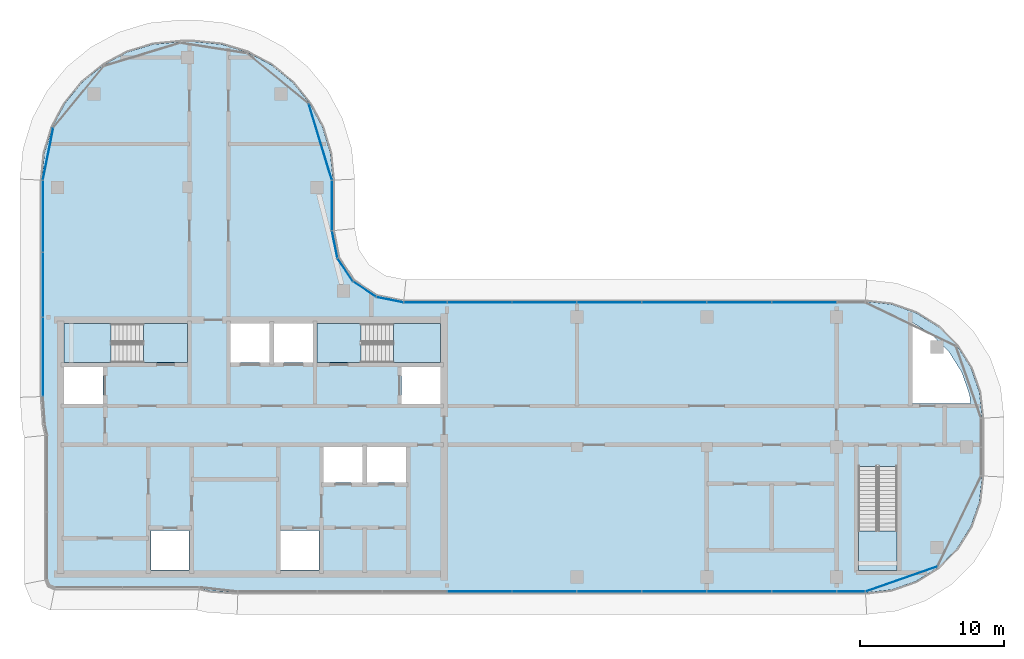
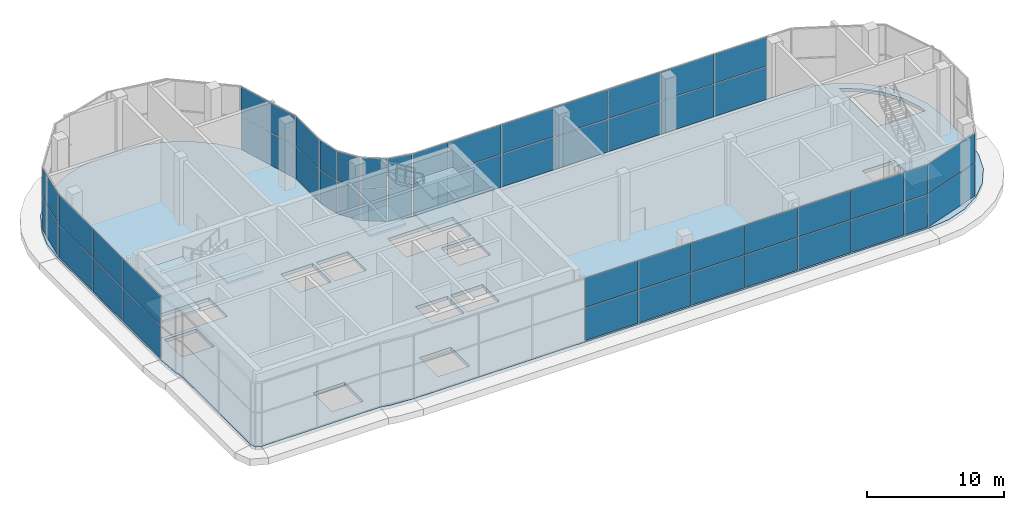
# One storey, part 13 of 23: 50 plates, 8 slabs, 10 elements without a shape of their own.
"""IFC4 building model written with IfcOpenShell, lengths in metres."""

from ifc_helpers import new_model, si_unit, direction, frame, origin, origin_2d, place, context, subcontext, project, spatial, polyline, rectangle, outline, extrude, material, layer, layer_set, type_object, element, aggregate, save


model = new_model("IFC4")

# Units and contexts
model_context = context("Model", 3, precision=1e-05, world=origin(), true_north=direction((0.0, 1.0)))
body_context = subcontext(model_context, "Body", "Model", "MODEL_VIEW")
ifc_project = project(units=[si_unit("LENGTHUNIT", "METRE"), si_unit("AREAUNIT", "SQUARE_METRE"), si_unit("VOLUMEUNIT", "CUBIC_METRE"), si_unit("PLANEANGLEUNIT", "RADIAN"), si_unit("MASSUNIT", "GRAM", prefix="KILO")], contexts=[model_context])

# Site, building, storey
site_placement = place(None, origin())
site = spatial("IfcSite", under=ifc_project, at=site_placement, CompositionType="ELEMENT")
building_placement = place(site_placement, origin())
building = spatial("IfcBuilding", under=site, at=building_placement, Name="Ogive Portal Towers", CompositionType="ELEMENT")
storey_placement = place(building_placement, frame((0.0, 0.0, 260.89990234375)))
storey = spatial("IfcBuildingStorey", under=building, at=storey_placement, Name="L64", CompositionType="ELEMENT", Elevation=260.89990234375)

# Curtain wall, plates
ifc_material_1 = material(Name="Glass, clear low-iron insulated glazing", Category="glass")
curtain_wall_type = type_object("IfcCurtainWallType", Name="CW OBSERVATION WALL", PredefinedType="NOTDEFINED", material=ifc_material_1)
curtain_wall_1_placement = place(storey_placement, origin())
curtain_wall_1 = element("IfcCurtainWall", 1, at=curtain_wall_1_placement, inside=storey, type_object=curtain_wall_type, Name="A:L64:f05:cw0", PredefinedType="NOTDEFINED")
ifc_layer_1 = layer(ifc_material_1, 0.028076171875)
ifc_layer_set_1 = layer_set([ifc_layer_1], Name="CW PANEL IGU 28")
plate_type = type_object("IfcPlateType", Name="CW PANEL IGU 28", PredefinedType="CURTAIN_PANEL", material=ifc_layer_set_1)
plate_1_placement = place(storey_placement, frame((60.75, 20.47998046875, 0.06005859375), z_axis=(0.0, 0.0, 1.0), x_axis=(1.0, 0.0, 0.0)))
plate_1 = element("IfcPlate", 2, at=plate_1_placement, type_object=plate_type, Name="panel", PredefinedType="CURTAIN_PANEL", context=body_context, shape_type="SweptSolid", body=[
    extrude(rectangle(XDim=4.43994140625, YDim=0.028076171875, at=origin_2d()), origin(), (0.0, 0.0, 1.0), 2.909912109375),
])
plate_2_placement = place(storey_placement, frame((60.75, 20.47998046875, 3.0302734375), z_axis=(0.0, 0.0, 1.0), x_axis=(1.0, 0.0, 0.0)))
plate_2 = element("IfcPlate", 3, at=plate_2_placement, type_object=plate_type, Name="panel", PredefinedType="CURTAIN_PANEL", context=body_context, shape_type="SweptSolid", body=[
    extrude(rectangle(XDim=4.43994140625, YDim=0.028076171875, at=origin_2d()), origin(), (0.0, 0.0, 1.0), 2.610107421875),
])
plate_3_placement = place(storey_placement, frame((65.25, 20.47998046875, 0.06005859375), z_axis=(0.0, 0.0, 1.0), x_axis=(1.0, 0.0, 0.0)))
plate_3 = element("IfcPlate", 4, at=plate_3_placement, type_object=plate_type, Name="panel", PredefinedType="CURTAIN_PANEL", context=body_context, shape_type="SweptSolid", body=[
    extrude(rectangle(XDim=4.43994140625, YDim=0.028076171875, at=origin_2d()), origin(), (0.0, 0.0, 1.0), 2.909912109375),
])
plate_4_placement = place(storey_placement, frame((65.25, 20.47998046875, 3.0302734375), z_axis=(0.0, 0.0, 1.0), x_axis=(1.0, 0.0, 0.0)))
plate_4 = element("IfcPlate", 5, at=plate_4_placement, type_object=plate_type, Name="panel", PredefinedType="CURTAIN_PANEL", context=body_context, shape_type="SweptSolid", body=[
    extrude(rectangle(XDim=4.43994140625, YDim=0.028076171875, at=origin_2d()), origin(), (0.0, 0.0, 1.0), 2.610107421875),
])
plate_5_placement = place(storey_placement, frame((69.75, 20.47998046875, 0.06005859375), z_axis=(0.0, 0.0, 1.0), x_axis=(1.0, 0.0, 0.0)))
plate_5 = element("IfcPlate", 6, at=plate_5_placement, type_object=plate_type, Name="panel", PredefinedType="CURTAIN_PANEL", context=body_context, shape_type="SweptSolid", body=[
    extrude(rectangle(XDim=4.43994140625, YDim=0.028076171875, at=origin_2d()), origin(), (0.0, 0.0, 1.0), 2.909912109375),
])
plate_6_placement = place(storey_placement, frame((69.75, 20.47998046875, 3.0302734375), z_axis=(0.0, 0.0, 1.0), x_axis=(1.0, 0.0, 0.0)))
plate_6 = element("IfcPlate", 7, at=plate_6_placement, type_object=plate_type, Name="panel", PredefinedType="CURTAIN_PANEL", context=body_context, shape_type="SweptSolid", body=[
    extrude(rectangle(XDim=4.43994140625, YDim=0.028076171875, at=origin_2d()), origin(), (0.0, 0.0, 1.0), 2.610107421875),
])
plate_7_placement = place(storey_placement, frame((74.25, 20.47998046875, 0.06005859375), z_axis=(0.0, 0.0, 1.0), x_axis=(1.0, 0.0, 0.0)))
plate_7 = element("IfcPlate", 8, at=plate_7_placement, type_object=plate_type, Name="panel", PredefinedType="CURTAIN_PANEL", context=body_context, shape_type="SweptSolid", body=[
    extrude(rectangle(XDim=4.43994140625, YDim=0.028076171875, at=origin_2d()), origin(), (0.0, 0.0, 1.0), 2.909912109375),
])
plate_8_placement = place(storey_placement, frame((74.25, 20.47998046875, 3.0302734375), z_axis=(0.0, 0.0, 1.0), x_axis=(1.0, 0.0, 0.0)))
plate_8 = element("IfcPlate", 9, at=plate_8_placement, type_object=plate_type, Name="panel", PredefinedType="CURTAIN_PANEL", context=body_context, shape_type="SweptSolid", body=[
    extrude(rectangle(XDim=4.43994140625, YDim=0.028076171875, at=origin_2d()), origin(), (0.0, 0.0, 1.0), 2.610107421875),
])
plate_9_placement = place(storey_placement, frame((78.75, 20.47998046875, 0.06005859375), z_axis=(0.0, 0.0, 1.0), x_axis=(1.0, 0.0, 0.0)))
plate_9 = element("IfcPlate", 10, at=plate_9_placement, type_object=plate_type, Name="panel", PredefinedType="CURTAIN_PANEL", context=body_context, shape_type="SweptSolid", body=[
    extrude(rectangle(XDim=4.43994140625, YDim=0.028076171875, at=origin_2d()), origin(), (0.0, 0.0, 1.0), 2.909912109375),
])
plate_10_placement = place(storey_placement, frame((78.75, 20.47998046875, 3.0302734375), z_axis=(0.0, 0.0, 1.0), x_axis=(1.0, 0.0, 0.0)))
plate_10 = element("IfcPlate", 11, at=plate_10_placement, type_object=plate_type, Name="panel", PredefinedType="CURTAIN_PANEL", context=body_context, shape_type="SweptSolid", body=[
    extrude(rectangle(XDim=4.43994140625, YDim=0.028076171875, at=origin_2d()), origin(), (0.0, 0.0, 1.0), 2.610107421875),
])
plate_11_placement = place(storey_placement, frame((83.25, 20.47998046875, 0.06005859375), z_axis=(0.0, 0.0, 1.0), x_axis=(1.0, 0.0, 0.0)))
plate_11 = element("IfcPlate", 12, at=plate_11_placement, type_object=plate_type, Name="panel", PredefinedType="CURTAIN_PANEL", context=body_context, shape_type="SweptSolid", body=[
    extrude(rectangle(XDim=4.43994140625, YDim=0.028076171875, at=origin_2d()), origin(), (0.0, 0.0, 1.0), 2.909912109375),
])
plate_12_placement = place(storey_placement, frame((83.25, 20.47998046875, 3.0302734375), z_axis=(0.0, 0.0, 1.0), x_axis=(1.0, 0.0, 0.0)))
plate_12 = element("IfcPlate", 13, at=plate_12_placement, type_object=plate_type, Name="panel", PredefinedType="CURTAIN_PANEL", context=body_context, shape_type="SweptSolid", body=[
    extrude(rectangle(XDim=4.43994140625, YDim=0.028076171875, at=origin_2d()), origin(), (0.0, 0.0, 1.0), 2.610107421875),
])
plate_13_placement = place(storey_placement, frame((86.4931640625, 20.47998046875, 0.06005859375), z_axis=(0.0, 0.0, 1.0), x_axis=(1.0, 0.0, 0.0)))
plate_13 = element("IfcPlate", 14, at=plate_13_placement, type_object=plate_type, Name="panel", PredefinedType="CURTAIN_PANEL", context=body_context, shape_type="SweptSolid", body=[
    extrude(rectangle(XDim=1.926513671875, YDim=0.028076171875, at=origin_2d()), origin(), (0.0, 0.0, 1.0), 2.909912109375),
])
plate_14_placement = place(storey_placement, frame((86.4931640625, 20.47998046875, 3.0302734375), z_axis=(0.0, 0.0, 1.0), x_axis=(1.0, 0.0, 0.0)))
plate_14 = element("IfcPlate", 15, at=plate_14_placement, type_object=plate_type, Name="panel", PredefinedType="CURTAIN_PANEL", context=body_context, shape_type="SweptSolid", body=[
    extrude(rectangle(XDim=1.926513671875, YDim=0.028076171875, at=origin_2d()), origin(), (0.0, 0.0, 1.0), 2.610107421875),
])
aggregate(curtain_wall_1, [plate_1, plate_2, plate_3, plate_4, plate_5, plate_6, plate_7, plate_8, plate_9, plate_10, plate_11, plate_12, plate_13, plate_14])

curtain_wall_2_placement = place(storey_placement, origin())
curtain_wall_2 = element("IfcCurtainWall", 16, at=curtain_wall_2_placement, inside=storey, type_object=curtain_wall_type, Name="A:L64:f11:cw0", PredefinedType="NOTDEFINED")
plate_15_placement = place(storey_placement, frame((83.25, 40.52001953125, 0.06005859375), z_axis=(0.0, 0.0, 1.0), x_axis=(-1.0, 0.0, 0.0)))
plate_15 = element("IfcPlate", 17, at=plate_15_placement, type_object=plate_type, Name="panel", PredefinedType="CURTAIN_PANEL", context=body_context, shape_type="SweptSolid", body=[
    extrude(rectangle(XDim=4.43994140625, YDim=0.028076171875, at=origin_2d()), origin(), (0.0, 0.0, 1.0), 2.909912109375),
])
plate_16_placement = place(storey_placement, frame((83.25, 40.52001953125, 3.0302734375), z_axis=(0.0, 0.0, 1.0), x_axis=(-1.0, 0.0, 0.0)))
plate_16 = element("IfcPlate", 18, at=plate_16_placement, type_object=plate_type, Name="panel", PredefinedType="CURTAIN_PANEL", context=body_context, shape_type="SweptSolid", body=[
    extrude(rectangle(XDim=4.43994140625, YDim=0.028076171875, at=origin_2d()), origin(), (0.0, 0.0, 1.0), 2.610107421875),
])
plate_17_placement = place(storey_placement, frame((78.75, 40.52001953125, 0.06005859375), z_axis=(0.0, 0.0, 1.0), x_axis=(-1.0, 0.0, 0.0)))
plate_17 = element("IfcPlate", 19, at=plate_17_placement, type_object=plate_type, Name="panel", PredefinedType="CURTAIN_PANEL", context=body_context, shape_type="SweptSolid", body=[
    extrude(rectangle(XDim=4.43994140625, YDim=0.028076171875, at=origin_2d()), origin(), (0.0, 0.0, 1.0), 2.909912109375),
])
plate_18_placement = place(storey_placement, frame((78.75, 40.52001953125, 3.0302734375), z_axis=(0.0, 0.0, 1.0), x_axis=(-1.0, 0.0, 0.0)))
plate_18 = element("IfcPlate", 20, at=plate_18_placement, type_object=plate_type, Name="panel", PredefinedType="CURTAIN_PANEL", context=body_context, shape_type="SweptSolid", body=[
    extrude(rectangle(XDim=4.43994140625, YDim=0.028076171875, at=origin_2d()), origin(), (0.0, 0.0, 1.0), 2.610107421875),
])
plate_19_placement = place(storey_placement, frame((74.25, 40.52001953125, 0.06005859375), z_axis=(0.0, 0.0, 1.0), x_axis=(-1.0, 0.0, 0.0)))
plate_19 = element("IfcPlate", 21, at=plate_19_placement, type_object=plate_type, Name="panel", PredefinedType="CURTAIN_PANEL", context=body_context, shape_type="SweptSolid", body=[
    extrude(rectangle(XDim=4.43994140625, YDim=0.028076171875, at=origin_2d()), origin(), (0.0, 0.0, 1.0), 2.909912109375),
])
plate_20_placement = place(storey_placement, frame((74.25, 40.52001953125, 3.0302734375), z_axis=(0.0, 0.0, 1.0), x_axis=(-1.0, 0.0, 0.0)))
plate_20 = element("IfcPlate", 22, at=plate_20_placement, type_object=plate_type, Name="panel", PredefinedType="CURTAIN_PANEL", context=body_context, shape_type="SweptSolid", body=[
    extrude(rectangle(XDim=4.43994140625, YDim=0.028076171875, at=origin_2d()), origin(), (0.0, 0.0, 1.0), 2.610107421875),
])
plate_21_placement = place(storey_placement, frame((69.75, 40.52001953125, 0.06005859375), z_axis=(0.0, 0.0, 1.0), x_axis=(-1.0, 0.0, 0.0)))
plate_21 = element("IfcPlate", 23, at=plate_21_placement, type_object=plate_type, Name="panel", PredefinedType="CURTAIN_PANEL", context=body_context, shape_type="SweptSolid", body=[
    extrude(rectangle(XDim=4.43994140625, YDim=0.028076171875, at=origin_2d()), origin(), (0.0, 0.0, 1.0), 2.909912109375),
])
plate_22_placement = place(storey_placement, frame((69.75, 40.52001953125, 3.0302734375), z_axis=(0.0, 0.0, 1.0), x_axis=(-1.0, 0.0, 0.0)))
plate_22 = element("IfcPlate", 24, at=plate_22_placement, type_object=plate_type, Name="panel", PredefinedType="CURTAIN_PANEL", context=body_context, shape_type="SweptSolid", body=[
    extrude(rectangle(XDim=4.43994140625, YDim=0.028076171875, at=origin_2d()), origin(), (0.0, 0.0, 1.0), 2.610107421875),
])
plate_23_placement = place(storey_placement, frame((65.25, 40.52001953125, 0.06005859375), z_axis=(0.0, 0.0, 1.0), x_axis=(-1.0, 0.0, 0.0)))
plate_23 = element("IfcPlate", 25, at=plate_23_placement, type_object=plate_type, Name="panel", PredefinedType="CURTAIN_PANEL", context=body_context, shape_type="SweptSolid", body=[
    extrude(rectangle(XDim=4.43994140625, YDim=0.028076171875, at=origin_2d()), origin(), (0.0, 0.0, 1.0), 2.909912109375),
])
plate_24_placement = place(storey_placement, frame((65.25, 40.52001953125, 3.0302734375), z_axis=(0.0, 0.0, 1.0), x_axis=(-1.0, 0.0, 0.0)))
plate_24 = element("IfcPlate", 26, at=plate_24_placement, type_object=plate_type, Name="panel", PredefinedType="CURTAIN_PANEL", context=body_context, shape_type="SweptSolid", body=[
    extrude(rectangle(XDim=4.43994140625, YDim=0.028076171875, at=origin_2d()), origin(), (0.0, 0.0, 1.0), 2.610107421875),
])
plate_25_placement = place(storey_placement, frame((60.75, 40.52001953125, 0.06005859375), z_axis=(0.0, 0.0, 1.0), x_axis=(-1.0, 0.0, 0.0)))
plate_25 = element("IfcPlate", 27, at=plate_25_placement, type_object=plate_type, Name="panel", PredefinedType="CURTAIN_PANEL", context=body_context, shape_type="SweptSolid", body=[
    extrude(rectangle(XDim=4.43994140625, YDim=0.028076171875, at=origin_2d()), origin(), (0.0, 0.0, 1.0), 2.909912109375),
])
plate_26_placement = place(storey_placement, frame((60.75, 40.52001953125, 3.0302734375), z_axis=(0.0, 0.0, 1.0), x_axis=(-1.0, 0.0, 0.0)))
plate_26 = element("IfcPlate", 28, at=plate_26_placement, type_object=plate_type, Name="panel", PredefinedType="CURTAIN_PANEL", context=body_context, shape_type="SweptSolid", body=[
    extrude(rectangle(XDim=4.43994140625, YDim=0.028076171875, at=origin_2d()), origin(), (0.0, 0.0, 1.0), 2.610107421875),
])
plate_27_placement = place(storey_placement, frame((56.99609375, 40.52001953125, 0.06005859375), z_axis=(0.0, 0.0, 1.0), x_axis=(-1.0, 0.0, 0.0)))
plate_27 = element("IfcPlate", 29, at=plate_27_placement, type_object=plate_type, Name="panel", PredefinedType="CURTAIN_PANEL", context=body_context, shape_type="SweptSolid", body=[
    extrude(rectangle(XDim=2.947998046875, YDim=0.028076171875, at=origin_2d()), origin(), (0.0, 0.0, 1.0), 2.909912109375),
])
plate_28_placement = place(storey_placement, frame((56.99609375, 40.52001953125, 3.0302734375), z_axis=(0.0, 0.0, 1.0), x_axis=(-1.0, 0.0, 0.0)))
plate_28 = element("IfcPlate", 30, at=plate_28_placement, type_object=plate_type, Name="panel", PredefinedType="CURTAIN_PANEL", context=body_context, shape_type="SweptSolid", body=[
    extrude(rectangle(XDim=2.947998046875, YDim=0.028076171875, at=origin_2d()), origin(), (0.0, 0.0, 1.0), 2.610107421875),
])
aggregate(curtain_wall_2, [plate_15, plate_16, plate_17, plate_18, plate_19, plate_20, plate_21, plate_22, plate_23, plate_24, plate_25, plate_26, plate_27, plate_28])

curtain_wall_3_placement = place(storey_placement, origin())
curtain_wall_3 = element("IfcCurtainWall", 31, at=curtain_wall_3_placement, inside=storey, type_object=curtain_wall_type, Name="A:L64:f16:cw0", PredefinedType="NOTDEFINED")
plate_29_placement = place(storey_placement, frame((50.52001953125, 47.240234375, 0.06005859375), z_axis=(0.0, 0.0, 1.0), x_axis=(0.0, 1.0, 0.0)))
plate_29 = element("IfcPlate", 32, at=plate_29_placement, type_object=plate_type, Name="panel", PredefinedType="CURTAIN_PANEL", context=body_context, shape_type="SweptSolid", body=[
    extrude(rectangle(XDim=3.43603515625, YDim=0.028076171875, at=origin_2d()), origin(), (0.0, 0.0, 1.0), 2.909912109375),
])
plate_30_placement = place(storey_placement, frame((50.52001953125, 47.240234375, 3.0302734375), z_axis=(0.0, 0.0, 1.0), x_axis=(0.0, 1.0, 0.0)))
plate_30 = element("IfcPlate", 33, at=plate_30_placement, type_object=plate_type, Name="panel", PredefinedType="CURTAIN_PANEL", context=body_context, shape_type="SweptSolid", body=[
    extrude(rectangle(XDim=3.43603515625, YDim=0.028076171875, at=origin_2d()), origin(), (0.0, 0.0, 1.0), 2.610107421875),
])
aggregate(curtain_wall_3, [plate_29, plate_30])

curtain_wall_4_placement = place(storey_placement, origin())
curtain_wall_4 = element("IfcCurtainWall", 34, at=curtain_wall_4_placement, inside=storey, type_object=curtain_wall_type, Name="A:L64:f23:cw0", PredefinedType="NOTDEFINED")
plate_31_placement = place(storey_placement, frame((30.47998046875, 46.49609375, 0.06005859375), z_axis=(0.0, 0.0, 1.0), x_axis=(0.0, -1.0, 0.0)))
plate_31 = element("IfcPlate", 35, at=plate_31_placement, type_object=plate_type, Name="panel", PredefinedType="CURTAIN_PANEL", context=body_context, shape_type="SweptSolid", body=[
    extrude(rectangle(XDim=4.93212890625, YDim=0.028076171875, at=origin_2d()), origin(), (0.0, 0.0, 1.0), 2.909912109375),
])
plate_32_placement = place(storey_placement, frame((30.47998046875, 46.49609375, 3.0302734375), z_axis=(0.0, 0.0, 1.0), x_axis=(0.0, -1.0, 0.0)))
plate_32 = element("IfcPlate", 36, at=plate_32_placement, type_object=plate_type, Name="panel", PredefinedType="CURTAIN_PANEL", context=body_context, shape_type="SweptSolid", body=[
    extrude(rectangle(XDim=4.93212890625, YDim=0.028076171875, at=origin_2d()), origin(), (0.0, 0.0, 1.0), 2.610107421875),
])
plate_33_placement = place(storey_placement, frame((30.47998046875, 41.75, 0.06005859375), z_axis=(0.0, 0.0, 1.0), x_axis=(0.0, -1.0, 0.0)))
plate_33 = element("IfcPlate", 37, at=plate_33_placement, type_object=plate_type, Name="panel", PredefinedType="CURTAIN_PANEL", context=body_context, shape_type="SweptSolid", body=[
    extrude(rectangle(XDim=4.43994140625, YDim=0.028076171875, at=origin_2d()), origin(), (0.0, 0.0, 1.0), 2.909912109375),
])
plate_34_placement = place(storey_placement, frame((30.47998046875, 41.75, 3.0302734375), z_axis=(0.0, 0.0, 1.0), x_axis=(0.0, -1.0, 0.0)))
plate_34 = element("IfcPlate", 38, at=plate_34_placement, type_object=plate_type, Name="panel", PredefinedType="CURTAIN_PANEL", context=body_context, shape_type="SweptSolid", body=[
    extrude(rectangle(XDim=4.43994140625, YDim=0.028076171875, at=origin_2d()), origin(), (0.0, 0.0, 1.0), 2.610107421875),
])
plate_35_placement = place(storey_placement, frame((30.47998046875, 36.75146484375, 0.06005859375), z_axis=(0.0, 0.0, 1.0), x_axis=(0.0, -1.0, 0.0)))
plate_35 = element("IfcPlate", 39, at=plate_35_placement, type_object=plate_type, Name="panel", PredefinedType="CURTAIN_PANEL", context=body_context, shape_type="SweptSolid", body=[
    extrude(rectangle(XDim=5.437255859375, YDim=0.028076171875, at=origin_2d()), origin(), (0.0, 0.0, 1.0), 2.909912109375),
])
plate_36_placement = place(storey_placement, frame((30.47998046875, 36.75146484375, 3.0302734375), z_axis=(0.0, 0.0, 1.0), x_axis=(0.0, -1.0, 0.0)))
plate_36 = element("IfcPlate", 40, at=plate_36_placement, type_object=plate_type, Name="panel", PredefinedType="CURTAIN_PANEL", context=body_context, shape_type="SweptSolid", body=[
    extrude(rectangle(XDim=5.437255859375, YDim=0.028076171875, at=origin_2d()), origin(), (0.0, 0.0, 1.0), 2.610107421875),
])
aggregate(curtain_wall_4, [plate_31, plate_32, plate_33, plate_34, plate_35, plate_36])

curtain_wall_5_placement = place(storey_placement, origin())
curtain_wall_5 = element("IfcCurtainWall", 41, at=curtain_wall_5_placement, inside=storey, type_object=curtain_wall_type, Name="A:L64:f06:cwa", PredefinedType="NOTDEFINED")
plate_37_placement = place(storey_placement, frame((89.989501953125, 21.35595703125, 0.06005859375), z_axis=(0.0, 0.0, 1.0), x_axis=(0.943883330307, 0.33027906196, 0.0)))
plate_37 = element("IfcPlate", 42, at=plate_37_placement, type_object=plate_type, Name="panel", PredefinedType="CURTAIN_PANEL", context=body_context, shape_type="SweptSolid", body=[
    extrude(rectangle(XDim=5.243896484375, YDim=0.028076171875, at=origin_2d()), origin(), (0.0, 0.0, 1.0), 2.909912109375),
])
plate_38_placement = place(storey_placement, frame((89.989501953125, 21.35595703125, 3.0302734375), z_axis=(0.0, 0.0, 1.0), x_axis=(0.943883330307, 0.33027906196, 0.0)))
plate_38 = element("IfcPlate", 43, at=plate_38_placement, type_object=plate_type, Name="panel", PredefinedType="CURTAIN_PANEL", context=body_context, shape_type="SweptSolid", body=[
    extrude(rectangle(XDim=5.243896484375, YDim=0.028076171875, at=origin_2d()), origin(), (0.0, 0.0, 1.0), 2.610107421875),
])
aggregate(curtain_wall_5, [plate_37, plate_38])

curtain_wall_6_placement = place(storey_placement, origin())
curtain_wall_6 = element("IfcCurtainWall", 44, at=curtain_wall_6_placement, inside=storey, type_object=curtain_wall_type, Name="A:L64:f12:cwa", PredefinedType="NOTDEFINED")
plate_39_placement = place(storey_placement, frame((54.54296875, 40.708740234375, 0.06005859375), z_axis=(0.0, 0.0, 1.0), x_axis=(-0.980785280403, 0.195090322016, 0.0)))
plate_39 = element("IfcPlate", 45, at=plate_39_placement, type_object=plate_type, Name="panel", PredefinedType="CURTAIN_PANEL", context=body_context, shape_type="SweptSolid", body=[
    extrude(rectangle(XDim=1.875732421875, YDim=0.028076171875, at=origin_2d()), origin(), (0.0, 0.0, 1.0), 2.909912109375),
])
plate_40_placement = place(storey_placement, frame((54.54296875, 40.708740234375, 3.0302734375), z_axis=(0.0, 0.0, 1.0), x_axis=(-0.980785280403, 0.195090322016, 0.0)))
plate_40 = element("IfcPlate", 46, at=plate_40_placement, type_object=plate_type, Name="panel", PredefinedType="CURTAIN_PANEL", context=body_context, shape_type="SweptSolid", body=[
    extrude(rectangle(XDim=1.875732421875, YDim=0.028076171875, at=origin_2d()), origin(), (0.0, 0.0, 1.0), 2.610107421875),
])
plate_41_placement = place(storey_placement, frame((52.78564453125, 41.4375, 0.06005859375), z_axis=(0.0, 0.0, 1.0), x_axis=(-0.831469612303, 0.55557023302, 0.0)))
plate_41 = element("IfcPlate", 47, at=plate_41_placement, type_object=plate_type, Name="panel", PredefinedType="CURTAIN_PANEL", context=body_context, shape_type="SweptSolid", body=[
    extrude(rectangle(XDim=1.8837890625, YDim=0.028076171875, at=origin_2d()), origin(), (0.0, 0.0, 1.0), 2.909912109375),
])
plate_42_placement = place(storey_placement, frame((52.78564453125, 41.4375, 3.0302734375), z_axis=(0.0, 0.0, 1.0), x_axis=(-0.831469612303, 0.55557023302, 0.0)))
plate_42 = element("IfcPlate", 48, at=plate_42_placement, type_object=plate_type, Name="panel", PredefinedType="CURTAIN_PANEL", context=body_context, shape_type="SweptSolid", body=[
    extrude(rectangle(XDim=1.8837890625, YDim=0.028076171875, at=origin_2d()), origin(), (0.0, 0.0, 1.0), 2.610107421875),
])
plate_43_placement = place(storey_placement, frame((51.4375, 42.78564453125, 0.06005859375), z_axis=(0.0, 0.0, 1.0), x_axis=(-0.55557023302, 0.831469612303, 0.0)))
plate_43 = element("IfcPlate", 49, at=plate_43_placement, type_object=plate_type, Name="panel", PredefinedType="CURTAIN_PANEL", context=body_context, shape_type="SweptSolid", body=[
    extrude(rectangle(XDim=1.8837890625, YDim=0.028076171875, at=origin_2d()), origin(), (0.0, 0.0, 1.0), 2.909912109375),
])
plate_44_placement = place(storey_placement, frame((51.4375, 42.78564453125, 3.0302734375), z_axis=(0.0, 0.0, 1.0), x_axis=(-0.55557023302, 0.831469612303, 0.0)))
plate_44 = element("IfcPlate", 50, at=plate_44_placement, type_object=plate_type, Name="panel", PredefinedType="CURTAIN_PANEL", context=body_context, shape_type="SweptSolid", body=[
    extrude(rectangle(XDim=1.8837890625, YDim=0.028076171875, at=origin_2d()), origin(), (0.0, 0.0, 1.0), 2.610107421875),
])
plate_45_placement = place(storey_placement, frame((50.708740234375, 44.54296875, 0.06005859375), z_axis=(0.0, 0.0, 1.0), x_axis=(-0.195090322016, 0.980785280403, 0.0)))
plate_45 = element("IfcPlate", 51, at=plate_45_placement, type_object=plate_type, Name="panel", PredefinedType="CURTAIN_PANEL", context=body_context, shape_type="SweptSolid", body=[
    extrude(rectangle(XDim=1.875732421875, YDim=0.028076171875, at=origin_2d()), origin(), (0.0, 0.0, 1.0), 2.909912109375),
])
plate_46_placement = place(storey_placement, frame((50.708740234375, 44.54296875, 3.0302734375), z_axis=(0.0, 0.0, 1.0), x_axis=(-0.195090322016, 0.980785280403, 0.0)))
plate_46 = element("IfcPlate", 52, at=plate_46_placement, type_object=plate_type, Name="panel", PredefinedType="CURTAIN_PANEL", context=body_context, shape_type="SweptSolid", body=[
    extrude(rectangle(XDim=1.875732421875, YDim=0.028076171875, at=origin_2d()), origin(), (0.0, 0.0, 1.0), 2.610107421875),
])
aggregate(curtain_wall_6, [plate_39, plate_40, plate_41, plate_42, plate_43, plate_44, plate_45, plate_46])

curtain_wall_7_placement = place(storey_placement, origin())
curtain_wall_7 = element("IfcCurtainWall", 53, at=curtain_wall_7_placement, inside=storey, type_object=curtain_wall_type, Name="A:L64:f17:cwa", PredefinedType="NOTDEFINED")
plate_47_placement = place(storey_placement, frame((49.71630859375, 51.6376953125, 0.06005859375), z_axis=(0.0, 0.0, 1.0), x_axis=(-0.290284677254, 0.956940335732, 0.0)))
plate_47 = element("IfcPlate", 54, at=plate_47_placement, type_object=plate_type, Name="panel", PredefinedType="CURTAIN_PANEL", context=body_context, shape_type="SweptSolid", body=[
    extrude(rectangle(XDim=5.477294921875, YDim=0.028076171875, at=origin_2d()), origin(), (0.0, 0.0, 1.0), 2.909912109375),
])
plate_48_placement = place(storey_placement, frame((49.71630859375, 51.6376953125, 3.0302734375), z_axis=(0.0, 0.0, 1.0), x_axis=(-0.290284677254, 0.956940335732, 0.0)))
plate_48 = element("IfcPlate", 55, at=plate_48_placement, type_object=plate_type, Name="panel", PredefinedType="CURTAIN_PANEL", context=body_context, shape_type="SweptSolid", body=[
    extrude(rectangle(XDim=5.477294921875, YDim=0.028076171875, at=origin_2d()), origin(), (0.0, 0.0, 1.0), 2.610107421875),
])
plate_49_placement = place(storey_placement, frame((30.8427734375, 50.8154296875, 0.06005859375), z_axis=(0.0, 0.0, 1.0), x_axis=(-0.195090322016, -0.980785280403, 0.0)))
plate_49 = element("IfcPlate", 56, at=plate_49_placement, type_object=plate_type, Name="panel", PredefinedType="CURTAIN_PANEL", context=body_context, shape_type="SweptSolid", body=[
    extrude(rectangle(XDim=3.65771484375, YDim=0.028076171875, at=origin_2d()), origin(), (0.0, 0.0, 1.0), 2.909912109375),
])
plate_50_placement = place(storey_placement, frame((30.8427734375, 50.8154296875, 3.0302734375), z_axis=(0.0, 0.0, 1.0), x_axis=(-0.195090322016, -0.980785280403, 0.0)))
plate_50 = element("IfcPlate", 57, at=plate_50_placement, type_object=plate_type, Name="panel", PredefinedType="CURTAIN_PANEL", context=body_context, shape_type="SweptSolid", body=[
    extrude(rectangle(XDim=3.65771484375, YDim=0.028076171875, at=origin_2d()), origin(), (0.0, 0.0, 1.0), 2.610107421875),
])
aggregate(curtain_wall_7, [plate_47, plate_48, plate_49, plate_50])

# Stair, slabs
ifc_material_2 = material(Name="Concrete C40/50", Category="concrete")
stair_type = type_object("IfcStairType", Name="INT-STAIR", PredefinedType="HALF_TURN_STAIR", material=ifc_material_2)
stair_1_placement = place(storey_placement, origin())
stair_1 = element("IfcStair", 58, at=stair_1_placement, inside=storey, type_object=stair_type, Name="L64 Exit Stair ST-A1", PredefinedType="HALF_TURN_STAIR")
ifc_layer_2 = layer(ifc_material_2, 0.199951171875)
ifc_layer_set_2 = layer_set([ifc_layer_2], Name="INT-LANDING")
slab_type_1 = type_object("IfcSlabType", Name="INT-LANDING", PredefinedType="LANDING", material=ifc_layer_set_2)
slab_1_placement = place(storey_placement, frame((0.0, 0.0, 1.300048828125)))
slab_1 = element("IfcSlab", 59, at=slab_1_placement, type_object=slab_type_1, Name="ST-A1 landing 1", PredefinedType="LANDING", context=body_context, shape_type="SweptSolid", body=[
    extrude(outline(polyline([(35.2099609375, 39.050048828125), (31.949951171875, 39.050048828125), (31.949951171875, 36.35009765625), (35.2099609375, 36.35009765625), (35.2099609375, 39.050048828125)])), origin(), (0.0, 0.0, 1.0), 0.199951171875),
])
slab_2_placement = place(storey_placement, frame((0.0, 0.0, 2.800048828125)))
slab_2 = element("IfcSlab", 60, at=slab_2_placement, type_object=slab_type_1, Name="ST-A1 landing 2", PredefinedType="LANDING", context=body_context, shape_type="SweptSolid", body=[
    extrude(outline(polyline([(40.5, 39.050048828125), (37.449951171875, 39.050048828125), (37.449951171875, 36.35009765625), (40.5, 36.35009765625), (40.5, 39.050048828125)])), origin(), (0.0, 0.0, 1.0), 0.199951171875),
])
slab_3_placement = place(storey_placement, frame((0.0, 0.0, 4.300048828125)))
slab_3 = element("IfcSlab", 61, at=slab_3_placement, type_object=slab_type_1, Name="ST-A1 landing 3", PredefinedType="LANDING", context=body_context, shape_type="SweptSolid", body=[
    extrude(outline(polyline([(35.2099609375, 39.050048828125), (31.949951171875, 39.050048828125), (31.949951171875, 36.35009765625), (35.2099609375, 36.35009765625), (35.2099609375, 39.050048828125)])), origin(), (0.0, 0.0, 1.0), 0.199951171875),
])
aggregate(stair_1, [slab_1, slab_2, slab_3])

stair_2_placement = place(storey_placement, origin())
stair_2 = element("IfcStair", 62, at=stair_2_placement, inside=storey, type_object=stair_type, Name="L64 Exit Stair ST-A2", PredefinedType="HALF_TURN_STAIR")
slab_4_placement = place(storey_placement, frame((0.0, 0.0, 1.300048828125)))
slab_4 = element("IfcSlab", 63, at=slab_4_placement, type_object=slab_type_1, Name="ST-A2 landing 1", PredefinedType="LANDING", context=body_context, shape_type="SweptSolid", body=[
    extrude(outline(polyline([(54.7900390625, 36.35009765625), (58.050048828125, 36.35009765625), (58.050048828125, 39.050048828125), (54.7900390625, 39.050048828125), (54.7900390625, 36.35009765625)])), origin(), (0.0, 0.0, 1.0), 0.199951171875),
])
slab_5_placement = place(storey_placement, frame((0.0, 0.0, 2.800048828125)))
slab_5 = element("IfcSlab", 64, at=slab_5_placement, type_object=slab_type_1, Name="ST-A2 landing 2", PredefinedType="LANDING", context=body_context, shape_type="SweptSolid", body=[
    extrude(outline(polyline([(49.5, 36.35009765625), (52.550048828125, 36.35009765625), (52.550048828125, 39.050048828125), (49.5, 39.050048828125), (49.5, 36.35009765625)])), origin(), (0.0, 0.0, 1.0), 0.199951171875),
])
slab_6_placement = place(storey_placement, frame((0.0, 0.0, 4.300048828125)))
slab_6 = element("IfcSlab", 65, at=slab_6_placement, type_object=slab_type_1, Name="ST-A2 landing 3", PredefinedType="LANDING", context=body_context, shape_type="SweptSolid", body=[
    extrude(outline(polyline([(54.7900390625, 36.35009765625), (58.050048828125, 36.35009765625), (58.050048828125, 39.050048828125), (54.7900390625, 39.050048828125), (54.7900390625, 36.35009765625)])), origin(), (0.0, 0.0, 1.0), 0.199951171875),
])
aggregate(stair_2, [slab_4, slab_5, slab_6])

# Stair, slab
stair_3_placement = place(storey_placement, origin())
stair_3 = element("IfcStair", 66, at=stair_3_placement, inside=storey, type_object=stair_type, Name="L64 Exit Stair ST-A4", PredefinedType="HALF_TURN_STAIR")
slab_7_placement = place(storey_placement, frame((0.0, 0.0, 2.800048828125)))
slab_7 = element("IfcSlab", 67, at=slab_7_placement, type_object=slab_type_1, Name="ST-A4 landing 1", PredefinedType="LANDING", context=body_context, shape_type="SweptSolid", body=[
    extrude(outline(polyline([(87.0, 24.68994140625), (87.0, 21.949951171875), (89.699951171875, 21.949951171875), (89.699951171875, 24.68994140625), (87.0, 24.68994140625)])), origin(), (0.0, 0.0, 1.0), 0.199951171875),
])
aggregate(stair_3, [slab_7])

# Slab
ifc_material_3 = material(Name="Concrete C45/55", Category="concrete")
ifc_layer_3 = layer(ifc_material_3, 0.300048828125)
ifc_layer_set_3 = layer_set([ifc_layer_3], Name="PT FLAT PLATE 300")
slab_type_2 = type_object("IfcSlabType", Name="PT FLAT PLATE 300", PredefinedType="FLOOR", material=ifc_layer_set_3)
slab_8_placement = place(storey_placement, frame((0.0, 0.0, -0.2998046875)))
element("IfcSlab", 68, at=slab_8_placement, inside=storey, type_object=slab_type_2, Name="Floor slab L64", PredefinedType="FLOOR", context=body_context, shape_type="SweptSolid", body=[
    extrude(outline(polyline([(30.39990234375, 34.0), (30.538330078125, 32.064453125), (30.699951171875, 31.32177734375), (30.699951171875, 21.300048828125), (30.875732421875, 20.875732421875), (31.300048828125, 20.699951171875), (41.32177734375, 20.699951171875), (42.064453125, 20.538330078125), (44.0, 20.39990234375), (87.5, 20.39990234375), (89.302490234375, 20.60302734375), (91.014404296875, 21.2021484375), (92.55029296875, 22.167236328125), (93.832763671875, 23.44970703125), (94.7978515625, 24.985595703125), (95.39697265625, 26.697509765625), (95.60009765625, 28.5), (95.60009765625, 32.5), (95.39697265625, 34.302490234375), (94.7978515625, 36.014404296875), (93.832763671875, 37.55029296875), (92.55029296875, 38.832763671875), (91.014404296875, 39.7978515625), (89.302490234375, 40.39697265625), (87.5, 40.60009765625), (55.5, 40.60009765625), (53.625, 40.972900390625), (52.03515625, 42.03515625), (50.972900390625, 43.625), (50.60009765625, 45.5), (50.60009765625, 49.0), (50.41552734375, 50.872802734375), (49.869140625, 52.673828125), (48.982177734375, 54.33349609375), (47.7880859375, 55.7880859375), (46.33349609375, 56.982177734375), (44.673828125, 57.869140625), (42.872802734375, 58.41552734375), (41.0, 58.60009765625), (40.0, 58.60009765625), (38.127197265625, 58.41552734375), (36.326171875, 57.869140625), (34.66650390625, 56.982177734375), (33.2119140625, 55.7880859375), (32.017822265625, 54.33349609375), (31.130859375, 52.673828125), (30.58447265625, 50.872802734375), (30.39990234375, 49.0), (30.39990234375, 34.0)]), holes=[polyline([(40.6298828125, 24.72998046875), (40.6298828125, 21.969970703125), (37.969970703125, 21.969970703125), (37.969970703125, 24.72998046875), (40.6298828125, 24.72998046875)]), polyline([(49.6298828125, 21.969970703125), (46.969970703125, 21.969970703125), (46.969970703125, 24.72998046875), (49.6298828125, 24.72998046875), (49.6298828125, 21.969970703125)]), polyline([(34.64990234375, 36.050048828125), (34.64990234375, 33.5), (31.949951171875, 33.5), (31.949951171875, 36.050048828125), (34.64990234375, 36.050048828125)]), polyline([(31.951904296875, 36.35205078125), (31.951904296875, 39.048095703125), (37.447998046875, 39.048095703125), (37.447998046875, 36.35205078125), (31.951904296875, 36.35205078125)]), polyline([(46.199951171875, 39.050048828125), (46.199951171875, 36.35009765625), (43.5, 36.35009765625), (43.5, 39.050048828125), (46.199951171875, 39.050048828125)]), polyline([(49.199951171875, 39.050048828125), (49.199951171875, 36.35009765625), (46.5, 36.35009765625), (46.5, 39.050048828125), (49.199951171875, 39.050048828125)]), polyline([(89.697998046875, 21.951904296875), (87.001953125, 21.951904296875), (87.001953125, 29.16796875), (89.697998046875, 29.16796875), (89.697998046875, 21.951904296875)]), polyline([(52.64990234375, 30.5), (52.64990234375, 28.050048828125), (49.949951171875, 28.050048828125), (49.949951171875, 30.5), (52.64990234375, 30.5)]), polyline([(55.64990234375, 30.5), (55.64990234375, 28.050048828125), (52.949951171875, 28.050048828125), (52.949951171875, 30.5), (55.64990234375, 30.5)]), polyline([(55.35009765625, 36.050048828125), (58.050048828125, 36.050048828125), (58.050048828125, 33.5), (55.35009765625, 33.5), (55.35009765625, 36.050048828125)]), polyline([(94.1630859375, 35.708740234375), (94.710205078125, 34.145751953125), (94.780517578125, 33.52001953125), (90.77001953125, 33.52001953125), (90.77001953125, 39.124755859375), (92.111083984375, 38.281982421875), (93.281982421875, 37.111083984375), (94.1630859375, 35.708740234375)]), polyline([(58.048095703125, 36.35205078125), (52.552001953125, 36.35205078125), (52.552001953125, 39.048095703125), (58.048095703125, 39.048095703125), (58.048095703125, 36.35205078125)])]), origin(), (0.0, 0.0, 1.0), 0.2998046875),
])

save(model, "model.ifc")
